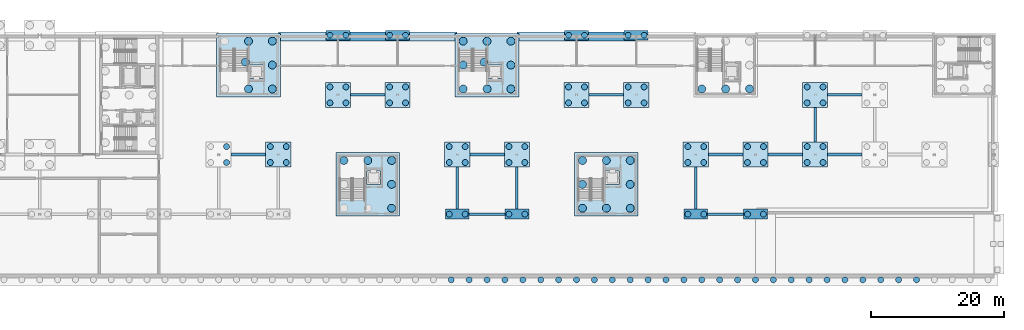
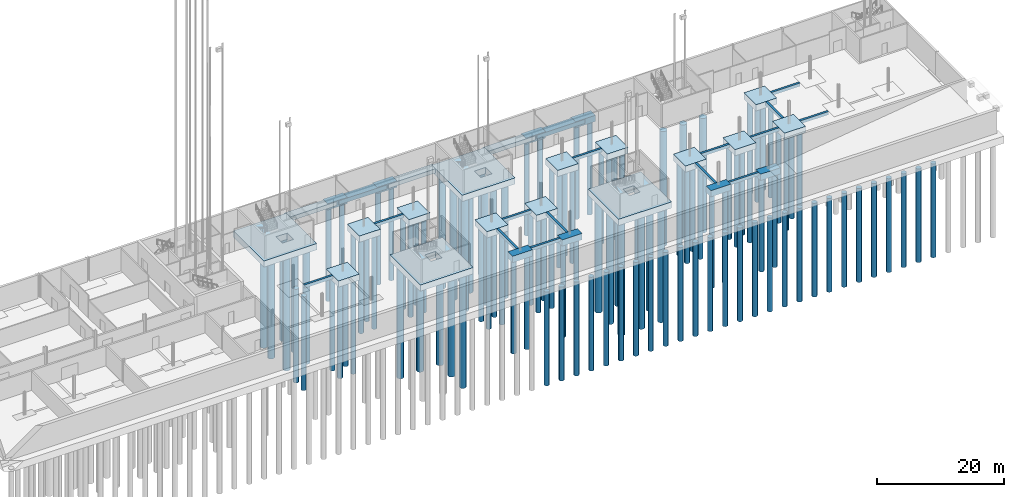
# One storey, part 2 of 41: 120 piles, 42 footings.
"""IFC4 building model written with IfcOpenShell, lengths in metres."""

from ifc_helpers import new_model, si_unit, direction, frame, origin, origin_2d, place, context, subcontext, project, spatial, polyline, rectangle, circle, outline, extrude, material, material_profile, profile_set, type_object, element, save


model = new_model("IFC4")

# Units and contexts
model_context = context("Model", 3, precision=1e-05, world=origin(), true_north=direction((0.0, 1.0)))
body_context = subcontext(model_context, "Body", "Model", "MODEL_VIEW")
ifc_project = project(units=[si_unit("LENGTHUNIT", "METRE"), si_unit("AREAUNIT", "SQUARE_METRE"), si_unit("VOLUMEUNIT", "CUBIC_METRE"), si_unit("PLANEANGLEUNIT", "RADIAN"), si_unit("MASSUNIT", "GRAM", prefix="KILO")], contexts=[model_context])

# Site, building, storey
site_placement = place(None, origin())
site = spatial("IfcSite", under=ifc_project, at=site_placement, CompositionType="ELEMENT")
building_placement = place(site_placement, origin())
building = spatial("IfcBuilding", under=site, at=building_placement, Name="Corbel Yard City Hall", CompositionType="ELEMENT")
storey_placement = place(building_placement, frame((0.0, 0.0, -4.5)))
storey = spatial("IfcBuildingStorey", under=building, at=storey_placement, Name="B1", CompositionType="ELEMENT", Elevation=-4.5)

# Piles
ifc_material = material(Name="Concrete N40 (40 MPa)", Category="concrete")
ifc_material_profile_1 = material_profile(ifc_material, circle(Radius=0.60009765625, at=origin_2d()), Name="D1200")
ifc_profile_set_1 = profile_set([ifc_material_profile_1], Name="Concrete N40 (40 MPa)")
pile_type_1 = type_object("IfcPileType", Name="Bored pile D1200", PredefinedType="BORED", material=ifc_profile_set_1)
for number, where, z_axis, x_axis, name in (
    (1, (67.5, 108.89990234375, -1.10009765625), (0.0, 0.0, -1.0), (1.0, 0.0, 0.0), "Bored pile D1200 under core raft PC13"),
    (2, (67.050048828125, 112.949951171875, -1.10009765625), (0.0, 0.0, -1.0), (1.0, 0.0, 0.0), "Bored pile D1200 under core raft PC13"),
    (3, (67.5, 116.10009765625, -1.10009765625), (0.0, 0.0, -1.0), (1.0, 0.0, 0.0), "Bored pile D1200 under core raft PC13"),
    (4, (71.10009765625, 108.89990234375, -1.10009765625), (0.0, 0.0, -1.0), (1.0, 0.0, 0.0), "Bored pile D1200 under core raft PC13"),
    (5, (71.10009765625, 112.5, -1.10009765625), (0.0, 0.0, -1.0), (1.0, 0.0, 0.0), "Bored pile D1200 under core raft PC13"),
    (6, (71.10009765625, 116.10009765625, -1.10009765625), (0.0, 0.0, -1.0), (1.0, 0.0, 0.0), "Bored pile D1200 under core raft PC13"),
    (7, (99.89990234375, 108.89990234375, -1.10009765625), (0.0, 0.0, -1.0), (1.0, 0.0, 0.0), "Bored pile D1200 under core raft PC13"),
    (8, (99.89990234375, 112.5, -1.10009765625), (0.0, 0.0, -1.0), (1.0, 0.0, 0.0), "Bored pile D1200 under core raft PC13"),
    (9, (99.89990234375, 116.10009765625, -1.10009765625), (0.0, 0.0, -1.0), (1.0, 0.0, 0.0), "Bored pile D1200 under core raft PC13"),
    (10, (103.5, 108.89990234375, -1.10009765625), (0.0, 0.0, -1.0), (1.0, 0.0, 0.0), "Bored pile D1200 under core raft PC13"),
    (11, (103.050048828125, 112.949951171875, -1.10009765625), (0.0, 0.0, -1.0), (1.0, 0.0, 0.0), "Bored pile D1200 under core raft PC13"),
    (12, (103.5, 116.10009765625, -1.10009765625), (0.0, 0.0, -1.0), (1.0, 0.0, 0.0), "Bored pile D1200 under core raft PC13"),
    (13, (107.10009765625, 108.89990234375, -1.10009765625), (0.0, 0.0, -1.0), (1.0, 0.0, 0.0), "Bored pile D1200 under core raft PC13"),
    (14, (107.10009765625, 112.5, -1.10009765625), (0.0, 0.0, -1.0), (1.0, 0.0, 0.0), "Bored pile D1200 under core raft PC13"),
    (15, (107.10009765625, 116.10009765625, -1.10009765625), (0.0, 0.0, -1.0), (1.0, 0.0, 0.0), "Bored pile D1200 under core raft PC13"),
    (16, (135.89990234375, 108.89990234375, -1.10009765625), (0.0, 0.0, -1.0), (1.0, 0.0, 0.0), "Bored pile D1200 under core raft PC13"),
    (17, (139.5, 108.89990234375, -1.10009765625), (0.0, 0.0, -1.0), (1.0, 0.0, 0.0), "Bored pile D1200 under core raft PC13"),
    (18, (143.10009765625, 108.89990234375, -1.10009765625), (0.0, 0.0, -1.0), (1.0, 0.0, 0.0), "Bored pile D1200 under core raft PC13"),
    (19, (81.89990234375, 98.10009765625, -1.10009765625), (0.0, 0.0, -1.0), (1.0, 0.0, 0.0), "Bored pile D1200 under core raft PC13"),
    (20, (85.5, 98.10009765625, -1.10009765625), (0.0, 0.0, -1.0), (1.0, 0.0, 0.0), "Bored pile D1200 under core raft PC13"),
    (21, (89.10009765625, 90.89990234375, -1.10009765625), (0.0, 0.0, -1.0), (1.0, 0.0, 0.0), "Bored pile D1200 under core raft PC13"),
    (22, (89.10009765625, 94.5, -1.10009765625), (0.0, 0.0, -1.0), (1.0, 0.0, 0.0), "Bored pile D1200 under core raft PC13"),
    (23, (89.10009765625, 98.10009765625, -1.10009765625), (0.0, 0.0, -1.0), (1.0, 0.0, 0.0), "Bored pile D1200 under core raft PC13"),
    (24, (117.89990234375, 90.89990234375, -1.10009765625), (0.0, 0.0, -1.0), (1.0, 0.0, 0.0), "Bored pile D1200 under core raft PC13"),
    (25, (117.89990234375, 94.5, -1.10009765625), (0.0, 0.0, -1.0), (1.0, 0.0, 0.0), "Bored pile D1200 under core raft PC13"),
    (26, (117.89990234375, 98.10009765625, -1.10009765625), (0.0, 0.0, -1.0), (1.0, 0.0, 0.0), "Bored pile D1200 under core raft PC13"),
    (27, (121.5, 90.89990234375, -1.10009765625), (0.0, 0.0, -1.0), (1.0, 0.0, 0.0), "Bored pile D1200 under core raft PC13"),
    (28, (121.5, 98.10009765625, -1.10009765625), (0.0, 0.0, -1.0), (1.0, 0.0, 0.0), "Bored pile D1200 under core raft PC13"),
    (29, (125.10009765625, 90.89990234375, -1.10009765625), (0.0, 0.0, -1.0), (1.0, 0.0, 0.0), "Bored pile D1200 under core raft PC13"),
    (30, (125.10009765625, 94.5, -1.10009765625), (0.0, 0.0, -1.0), (1.0, 0.0, 0.0), "Bored pile D1200 under core raft PC13"),
    (31, (125.10009765625, 98.10009765625, -1.10009765625), (0.0, 0.0, -1.0), (1.0, 0.0, 0.0), "Bored pile D1200 under core raft PC13"),
):
    element("IfcPile", number, at=place(storey_placement, frame(where, z_axis=z_axis, x_axis=x_axis)), inside=storey, type_object=pile_type_1, Name=name, PredefinedType="BORED", context=body_context, shape_type="SweptSolid", body=[
        extrude(circle(Radius=0.60009765625, at=origin_2d()), origin(), (0.0, 0.0, 1.0), 22.0),
    ])
ifc_material_profile_2 = material_profile(ifc_material, circle(Radius=0.449951171875, at=origin_2d()), Name="D900")
ifc_profile_set_2 = profile_set([ifc_material_profile_2], Name="Concrete N40 (40 MPa)")
pile_type_2 = type_object("IfcPileType", Name="Bored pile D900", PredefinedType="BORED", material=ifc_profile_set_2)
for number, where, z_axis, x_axis, name in (
    (32, (64.199951171875, 97.800048828125, -1.10009765625), (0.0, 0.0, -1.0), (1.0, 0.0, 0.0), "Bored pile D900 under cap PC9 L/8"),
    (33, (64.199951171875, 100.199951171875, -1.10009765625), (0.0, 0.0, -1.0), (1.0, 0.0, 0.0), "Bored pile D900 under cap PC9 L/8"),
    (34, (70.800048828125, 97.800048828125, -1.10009765625), (0.0, 0.0, -1.0), (1.0, 0.0, 0.0), "Bored pile D900 under cap PC9 L/9"),
    (35, (70.800048828125, 100.199951171875, -1.10009765625), (0.0, 0.0, -1.0), (1.0, 0.0, 0.0), "Bored pile D900 under cap PC9 L/9"),
    (36, (73.199951171875, 97.800048828125, -1.10009765625), (0.0, 0.0, -1.0), (1.0, 0.0, 0.0), "Bored pile D900 under cap PC9 L/9"),
    (37, (73.199951171875, 100.199951171875, -1.10009765625), (0.0, 0.0, -1.0), (1.0, 0.0, 0.0), "Bored pile D900 under cap PC9 L/9"),
    (38, (79.800048828125, 106.800048828125, -1.10009765625), (0.0, 0.0, -1.0), (1.0, 0.0, 0.0), "Bored pile D900 under cap PC9 M/10"),
    (39, (79.800048828125, 109.199951171875, -1.10009765625), (0.0, 0.0, -1.0), (1.0, 0.0, 0.0), "Bored pile D900 under cap PC9 M/10"),
    (40, (82.199951171875, 106.800048828125, -1.10009765625), (0.0, 0.0, -1.0), (1.0, 0.0, 0.0), "Bored pile D900 under cap PC9 M/10"),
    (41, (82.199951171875, 109.199951171875, -1.10009765625), (0.0, 0.0, -1.0), (1.0, 0.0, 0.0), "Bored pile D900 under cap PC9 M/10"),
    (42, (79.800048828125, 117.0, -1.10009765625), (0.0, 0.0, -1.0), (1.0, 0.0, 0.0), "Bored pile D900 under cap PC4 N/10"),
    (43, (82.199951171875, 117.0, -1.10009765625), (0.0, 0.0, -1.0), (1.0, 0.0, 0.0), "Bored pile D900 under cap PC4 N/10"),
    (44, (88.800048828125, 106.800048828125, -1.10009765625), (0.0, 0.0, -1.0), (1.0, 0.0, 0.0), "Bored pile D900 under cap PC9 M/11"),
    (45, (88.800048828125, 109.199951171875, -1.10009765625), (0.0, 0.0, -1.0), (1.0, 0.0, 0.0), "Bored pile D900 under cap PC9 M/11"),
    (46, (91.199951171875, 106.800048828125, -1.10009765625), (0.0, 0.0, -1.0), (1.0, 0.0, 0.0), "Bored pile D900 under cap PC9 M/11"),
    (47, (91.199951171875, 109.199951171875, -1.10009765625), (0.0, 0.0, -1.0), (1.0, 0.0, 0.0), "Bored pile D900 under cap PC9 M/11"),
    (48, (88.800048828125, 117.0, -1.10009765625), (0.0, 0.0, -1.0), (1.0, 0.0, 0.0), "Bored pile D900 under cap PC4 N/11"),
    (49, (91.199951171875, 117.0, -1.10009765625), (0.0, 0.0, -1.0), (1.0, 0.0, 0.0), "Bored pile D900 under cap PC4 N/11"),
    (50, (97.800048828125, 90.0, -1.10009765625), (0.0, 0.0, -1.0), (1.0, 0.0, 0.0), "Bored pile D900 under cap PC4 K/12"),
    (51, (100.199951171875, 90.0, -1.10009765625), (0.0, 0.0, -1.0), (1.0, 0.0, 0.0), "Bored pile D900 under cap PC4 K/12"),
    (52, (97.800048828125, 97.800048828125, -1.10009765625), (0.0, 0.0, -1.0), (1.0, 0.0, 0.0), "Bored pile D900 under cap PC9 L/12"),
    (53, (97.800048828125, 100.199951171875, -1.10009765625), (0.0, 0.0, -1.0), (1.0, 0.0, 0.0), "Bored pile D900 under cap PC9 L/12"),
    (54, (100.199951171875, 97.800048828125, -1.10009765625), (0.0, 0.0, -1.0), (1.0, 0.0, 0.0), "Bored pile D900 under cap PC9 L/12"),
    (55, (100.199951171875, 100.199951171875, -1.10009765625), (0.0, 0.0, -1.0), (1.0, 0.0, 0.0), "Bored pile D900 under cap PC9 L/12"),
    (56, (106.800048828125, 90.0, -1.10009765625), (0.0, 0.0, -1.0), (1.0, 0.0, 0.0), "Bored pile D900 under cap PC4 K/13"),
    (57, (109.199951171875, 90.0, -1.10009765625), (0.0, 0.0, -1.0), (1.0, 0.0, 0.0), "Bored pile D900 under cap PC4 K/13"),
    (58, (106.800048828125, 97.800048828125, -1.10009765625), (0.0, 0.0, -1.0), (1.0, 0.0, 0.0), "Bored pile D900 under cap PC9 L/13"),
    (59, (106.800048828125, 100.199951171875, -1.10009765625), (0.0, 0.0, -1.0), (1.0, 0.0, 0.0), "Bored pile D900 under cap PC9 L/13"),
    (60, (109.199951171875, 97.800048828125, -1.10009765625), (0.0, 0.0, -1.0), (1.0, 0.0, 0.0), "Bored pile D900 under cap PC9 L/13"),
    (61, (109.199951171875, 100.199951171875, -1.10009765625), (0.0, 0.0, -1.0), (1.0, 0.0, 0.0), "Bored pile D900 under cap PC9 L/13"),
    (62, (115.800048828125, 106.800048828125, -1.10009765625), (0.0, 0.0, -1.0), (1.0, 0.0, 0.0), "Bored pile D900 under cap PC9 M/14"),
    (63, (115.800048828125, 109.199951171875, -1.10009765625), (0.0, 0.0, -1.0), (1.0, 0.0, 0.0), "Bored pile D900 under cap PC9 M/14"),
    (64, (118.199951171875, 106.800048828125, -1.10009765625), (0.0, 0.0, -1.0), (1.0, 0.0, 0.0), "Bored pile D900 under cap PC9 M/14"),
    (65, (118.199951171875, 109.199951171875, -1.10009765625), (0.0, 0.0, -1.0), (1.0, 0.0, 0.0), "Bored pile D900 under cap PC9 M/14"),
    (66, (115.800048828125, 117.0, -1.10009765625), (0.0, 0.0, -1.0), (1.0, 0.0, 0.0), "Bored pile D900 under cap PC4 N/14"),
    (67, (118.199951171875, 117.0, -1.10009765625), (0.0, 0.0, -1.0), (1.0, 0.0, 0.0), "Bored pile D900 under cap PC4 N/14"),
    (68, (124.800048828125, 106.800048828125, -1.10009765625), (0.0, 0.0, -1.0), (1.0, 0.0, 0.0), "Bored pile D900 under cap PC9 M/15"),
    (69, (124.800048828125, 109.199951171875, -1.10009765625), (0.0, 0.0, -1.0), (1.0, 0.0, 0.0), "Bored pile D900 under cap PC9 M/15"),
    (70, (127.199951171875, 106.800048828125, -1.10009765625), (0.0, 0.0, -1.0), (1.0, 0.0, 0.0), "Bored pile D900 under cap PC9 M/15"),
    (71, (127.199951171875, 109.199951171875, -1.10009765625), (0.0, 0.0, -1.0), (1.0, 0.0, 0.0), "Bored pile D900 under cap PC9 M/15"),
    (72, (124.800048828125, 117.0, -1.10009765625), (0.0, 0.0, -1.0), (1.0, 0.0, 0.0), "Bored pile D900 under cap PC4 N/15"),
    (73, (127.199951171875, 117.0, -1.10009765625), (0.0, 0.0, -1.0), (1.0, 0.0, 0.0), "Bored pile D900 under cap PC4 N/15"),
    (74, (133.800048828125, 90.0, -1.10009765625), (0.0, 0.0, -1.0), (1.0, 0.0, 0.0), "Bored pile D900 under cap PC4 K/16"),
    (75, (136.199951171875, 90.0, -1.10009765625), (0.0, 0.0, -1.0), (1.0, 0.0, 0.0), "Bored pile D900 under cap PC4 K/16"),
    (76, (133.800048828125, 97.800048828125, -1.10009765625), (0.0, 0.0, -1.0), (1.0, 0.0, 0.0), "Bored pile D900 under cap PC9 L/16"),
    (77, (133.800048828125, 100.199951171875, -1.10009765625), (0.0, 0.0, -1.0), (1.0, 0.0, 0.0), "Bored pile D900 under cap PC9 L/16"),
    (78, (136.199951171875, 97.800048828125, -1.10009765625), (0.0, 0.0, -1.0), (1.0, 0.0, 0.0), "Bored pile D900 under cap PC9 L/16"),
    (79, (136.199951171875, 100.199951171875, -1.10009765625), (0.0, 0.0, -1.0), (1.0, 0.0, 0.0), "Bored pile D900 under cap PC9 L/16"),
    (80, (142.800048828125, 90.0, -1.10009765625), (0.0, 0.0, -1.0), (1.0, 0.0, 0.0), "Bored pile D900 under cap PC4 K/17"),
    (81, (145.199951171875, 90.0, -1.10009765625), (0.0, 0.0, -1.0), (1.0, 0.0, 0.0), "Bored pile D900 under cap PC4 K/17"),
    (82, (142.800048828125, 97.800048828125, -1.10009765625), (0.0, 0.0, -1.0), (1.0, 0.0, 0.0), "Bored pile D900 under cap PC9 L/17"),
    (83, (142.800048828125, 100.199951171875, -1.10009765625), (0.0, 0.0, -1.0), (1.0, 0.0, 0.0), "Bored pile D900 under cap PC9 L/17"),
    (84, (145.199951171875, 97.800048828125, -1.10009765625), (0.0, 0.0, -1.0), (1.0, 0.0, 0.0), "Bored pile D900 under cap PC9 L/17"),
    (85, (145.199951171875, 100.199951171875, -1.10009765625), (0.0, 0.0, -1.0), (1.0, 0.0, 0.0), "Bored pile D900 under cap PC9 L/17"),
    (86, (151.800048828125, 97.800048828125, -1.10009765625), (0.0, 0.0, -1.0), (1.0, 0.0, 0.0), "Bored pile D900 under cap PC9 L/18"),
    (87, (151.800048828125, 100.199951171875, -1.10009765625), (0.0, 0.0, -1.0), (1.0, 0.0, 0.0), "Bored pile D900 under cap PC9 L/18"),
    (88, (154.199951171875, 97.800048828125, -1.10009765625), (0.0, 0.0, -1.0), (1.0, 0.0, 0.0), "Bored pile D900 under cap PC9 L/18"),
    (89, (154.199951171875, 100.199951171875, -1.10009765625), (0.0, 0.0, -1.0), (1.0, 0.0, 0.0), "Bored pile D900 under cap PC9 L/18"),
    (90, (151.800048828125, 106.800048828125, -1.10009765625), (0.0, 0.0, -1.0), (1.0, 0.0, 0.0), "Bored pile D900 under cap PC9 M/18"),
    (91, (151.800048828125, 109.199951171875, -1.10009765625), (0.0, 0.0, -1.0), (1.0, 0.0, 0.0), "Bored pile D900 under cap PC9 M/18"),
    (92, (154.199951171875, 106.800048828125, -1.10009765625), (0.0, 0.0, -1.0), (1.0, 0.0, 0.0), "Bored pile D900 under cap PC9 M/18"),
    (93, (154.199951171875, 109.199951171875, -1.10009765625), (0.0, 0.0, -1.0), (1.0, 0.0, 0.0), "Bored pile D900 under cap PC9 M/18"),
    (94, (98.10009765625, 80.10009765625, -1.300048828125), (0.0, 0.0, -1.0), (1.0, 0.0, 0.0), "Bored pile D900 under pile-cap strip PC14"),
    (95, (100.800048828125, 80.10009765625, -1.300048828125), (0.0, 0.0, -1.0), (1.0, 0.0, 0.0), "Bored pile D900 under pile-cap strip PC14"),
    (96, (103.5, 80.10009765625, -1.300048828125), (0.0, 0.0, -1.0), (1.0, 0.0, 0.0), "Bored pile D900 under pile-cap strip PC14"),
    (97, (106.199951171875, 80.10009765625, -1.300048828125), (0.0, 0.0, -1.0), (1.0, 0.0, 0.0), "Bored pile D900 under pile-cap strip PC14"),
    (98, (108.89990234375, 80.10009765625, -1.300048828125), (0.0, 0.0, -1.0), (1.0, 0.0, 0.0), "Bored pile D900 under pile-cap strip PC14"),
    (99, (111.60009765625, 80.10009765625, -1.300048828125), (0.0, 0.0, -1.0), (1.0, 0.0, 0.0), "Bored pile D900 under pile-cap strip PC14"),
    (100, (114.300048828125, 80.10009765625, -1.300048828125), (0.0, 0.0, -1.0), (1.0, 0.0, 0.0), "Bored pile D900 under pile-cap strip PC14"),
    (101, (117.0, 80.10009765625, -1.300048828125), (0.0, 0.0, -1.0), (1.0, 0.0, 0.0), "Bored pile D900 under pile-cap strip PC14"),
    (102, (119.699951171875, 80.10009765625, -1.300048828125), (0.0, 0.0, -1.0), (1.0, 0.0, 0.0), "Bored pile D900 under pile-cap strip PC14"),
    (103, (122.39990234375, 80.10009765625, -1.300048828125), (0.0, 0.0, -1.0), (1.0, 0.0, 0.0), "Bored pile D900 under pile-cap strip PC14"),
    (104, (125.10009765625, 80.10009765625, -1.300048828125), (0.0, 0.0, -1.0), (1.0, 0.0, 0.0), "Bored pile D900 under pile-cap strip PC14"),
    (105, (127.800048828125, 80.10009765625, -1.300048828125), (0.0, 0.0, -1.0), (1.0, 0.0, 0.0), "Bored pile D900 under pile-cap strip PC14"),
    (106, (130.5, 80.10009765625, -1.300048828125), (0.0, 0.0, -1.0), (1.0, 0.0, 0.0), "Bored pile D900 under pile-cap strip PC14"),
    (107, (133.199951171875, 80.10009765625, -1.300048828125), (0.0, 0.0, -1.0), (1.0, 0.0, 0.0), "Bored pile D900 under pile-cap strip PC14"),
    (108, (135.89990234375, 80.10009765625, -1.300048828125), (0.0, 0.0, -1.0), (1.0, 0.0, 0.0), "Bored pile D900 under pile-cap strip PC14"),
    (109, (138.60009765625, 80.10009765625, -1.300048828125), (0.0, 0.0, -1.0), (1.0, 0.0, 0.0), "Bored pile D900 under pile-cap strip PC14"),
    (110, (141.300048828125, 80.10009765625, -1.300048828125), (0.0, 0.0, -1.0), (1.0, 0.0, 0.0), "Bored pile D900 under pile-cap strip PC14"),
    (111, (144.0, 80.10009765625, -1.300048828125), (0.0, 0.0, -1.0), (1.0, 0.0, 0.0), "Bored pile D900 under pile-cap strip PC14"),
    (112, (146.699951171875, 80.10009765625, -1.300048828125), (0.0, 0.0, -1.0), (1.0, 0.0, 0.0), "Bored pile D900 under pile-cap strip PC14"),
    (113, (149.39990234375, 80.10009765625, -1.300048828125), (0.0, 0.0, -1.0), (1.0, 0.0, 0.0), "Bored pile D900 under pile-cap strip PC14"),
    (114, (152.10009765625, 80.10009765625, -1.300048828125), (0.0, 0.0, -1.0), (1.0, 0.0, 0.0), "Bored pile D900 under pile-cap strip PC14"),
    (115, (154.800048828125, 80.10009765625, -1.300048828125), (0.0, 0.0, -1.0), (1.0, 0.0, 0.0), "Bored pile D900 under pile-cap strip PC14"),
    (116, (157.5, 80.10009765625, -1.300048828125), (0.0, 0.0, -1.0), (1.0, 0.0, 0.0), "Bored pile D900 under pile-cap strip PC14"),
    (117, (160.199951171875, 80.10009765625, -1.300048828125), (0.0, 0.0, -1.0), (1.0, 0.0, 0.0), "Bored pile D900 under pile-cap strip PC14"),
    (118, (162.89990234375, 80.10009765625, -1.300048828125), (0.0, 0.0, -1.0), (1.0, 0.0, 0.0), "Bored pile D900 under pile-cap strip PC14"),
    (119, (165.60009765625, 80.10009765625, -1.300048828125), (0.0, 0.0, -1.0), (1.0, 0.0, 0.0), "Bored pile D900 under pile-cap strip PC14"),
    (120, (168.300048828125, 80.10009765625, -1.300048828125), (0.0, 0.0, -1.0), (1.0, 0.0, 0.0), "Bored pile D900 under pile-cap strip PC14"),
):
    element("IfcPile", number, at=place(storey_placement, frame(where, z_axis=z_axis, x_axis=x_axis)), inside=storey, type_object=pile_type_2, Name=name, PredefinedType="BORED", context=body_context, shape_type="SweptSolid", body=[
        extrude(circle(Radius=0.449951171875, at=origin_2d()), origin(), (0.0, 0.0, 1.0), 18.0),
    ])

# Footings
footing_type_1 = type_object("IfcFootingType", Name="Core cell raft 9.6 x 9.6 x 1.2", PredefinedType="PILE_CAP", material=ifc_material)
footing_1_placement = place(storey_placement, frame((0.0, 0.0, -1.199951171875)))
element("IfcFooting", 121, at=footing_1_placement, inside=storey, type_object=footing_type_1, Name="Core cell raft PC13 PC-N1", PredefinedType="PILE_CAP", context=body_context, shape_type="SweptSolid", body=[
    extrude(outline(polyline([(62.699951171875, 107.699951171875), (72.300048828125, 107.699951171875), (72.300048828125, 117.300048828125), (62.699951171875, 117.300048828125), (62.699951171875, 107.699951171875)]), holes=[polyline([(67.699951171875, 110.5), (67.699951171875, 112.5), (69.699951171875, 112.5), (69.699951171875, 110.5), (67.699951171875, 110.5)])]), origin(), (0.0, 0.0, 1.0), 1.199951171875),
])
footing_2_placement = place(storey_placement, frame((0.0, 0.0, -1.199951171875)))
element("IfcFooting", 122, at=footing_2_placement, inside=storey, type_object=footing_type_1, Name="Core cell raft PC13 PC-N2", PredefinedType="PILE_CAP", context=body_context, shape_type="SweptSolid", body=[
    extrude(outline(polyline([(98.699951171875, 107.699951171875), (108.300048828125, 107.699951171875), (108.300048828125, 117.300048828125), (98.699951171875, 117.300048828125), (98.699951171875, 107.699951171875)]), holes=[polyline([(103.699951171875, 110.5), (103.699951171875, 112.5), (105.699951171875, 112.5), (105.699951171875, 110.5), (103.699951171875, 110.5)])]), origin(), (0.0, 0.0, 1.0), 1.199951171875),
])
footing_3_placement = place(storey_placement, frame((0.0, 0.0, -1.199951171875)))
element("IfcFooting", 123, at=footing_3_placement, inside=storey, type_object=footing_type_1, Name="Core cell raft PC13 PC-N5", PredefinedType="PILE_CAP", context=body_context, shape_type="SweptSolid", body=[
    extrude(outline(polyline([(80.699951171875, 89.699951171875), (90.300048828125, 89.699951171875), (90.300048828125, 99.300048828125), (80.699951171875, 99.300048828125), (80.699951171875, 89.699951171875)]), holes=[polyline([(85.39990234375, 94.5), (85.39990234375, 96.5), (87.39990234375, 96.5), (87.39990234375, 94.5), (85.39990234375, 94.5)])]), origin(), (0.0, 0.0, 1.0), 1.199951171875),
])
footing_4_placement = place(storey_placement, frame((0.0, 0.0, -1.199951171875)))
element("IfcFooting", 124, at=footing_4_placement, inside=storey, type_object=footing_type_1, Name="Core cell raft PC13 PC-N6", PredefinedType="PILE_CAP", context=body_context, shape_type="SweptSolid", body=[
    extrude(outline(polyline([(116.699951171875, 89.699951171875), (126.300048828125, 89.699951171875), (126.300048828125, 99.300048828125), (116.699951171875, 99.300048828125), (116.699951171875, 89.699951171875)]), holes=[polyline([(121.39990234375, 94.5), (121.39990234375, 96.5), (123.39990234375, 96.5), (123.39990234375, 94.5), (121.39990234375, 94.5)])]), origin(), (0.0, 0.0, 1.0), 1.199951171875),
])
footing_type_2 = type_object("IfcFootingType", Name="Ground beam 400 x 600", PredefinedType="FOOTING_BEAM", material=ifc_material)
for number, where, z_axis, x_axis, name in (
    (125, (67.5, 99.0, -0.60009765625), (0.0, 0.0, 1.0), (1.0, 0.0, 0.0), "Ground beam 400 x 600 L/8-L/9"),
    (126, (85.5, 108.0, -0.60009765625), (0.0, 0.0, 1.0), (1.0, 0.0, 0.0), "Ground beam 400 x 600 M/10-M/11"),
):
    element("IfcFooting", number, at=place(storey_placement, frame(where, z_axis=z_axis, x_axis=x_axis)), inside=storey, type_object=footing_type_2, Name=name, PredefinedType="FOOTING_BEAM", context=body_context, shape_type="SweptSolid", body=[
        extrude(rectangle(XDim=5.199951171875, YDim=0.39990234375, at=origin_2d()), origin(), (0.0, 0.0, 1.0), 0.60009765625),
    ])
footing_5_placement = place(storey_placement, frame((103.5, 90.0, -0.60009765625), z_axis=(0.0, 0.0, 1.0), x_axis=(1.0, 0.0, 0.0)))
element("IfcFooting", 127, at=footing_5_placement, inside=storey, type_object=footing_type_2, Name="Ground beam 400 x 600 K/12-K/13", PredefinedType="FOOTING_BEAM", context=body_context, shape_type="SweptSolid", body=[
    extrude(rectangle(XDim=5.39990234375, YDim=0.39990234375, at=origin_2d()), origin(), (0.0, 0.0, 1.0), 0.60009765625),
])
footing_6_placement = place(storey_placement, frame((99.0, 93.925048828125, -0.60009765625), z_axis=(0.0, 0.0, 1.0), x_axis=(1.0, 0.0, 0.0)))
element("IfcFooting", 128, at=footing_6_placement, inside=storey, type_object=footing_type_2, Name="Ground beam 400 x 600 K/12-L/12", PredefinedType="FOOTING_BEAM", context=body_context, shape_type="SweptSolid", body=[
    extrude(rectangle(XDim=0.39990234375, YDim=6.35009765625, at=origin_2d()), origin(), (0.0, 0.0, 1.0), 0.60009765625),
])
footing_7_placement = place(storey_placement, frame((103.5, 99.0, -0.60009765625), z_axis=(0.0, 0.0, 1.0), x_axis=(1.0, 0.0, 0.0)))
element("IfcFooting", 129, at=footing_7_placement, inside=storey, type_object=footing_type_2, Name="Ground beam 400 x 600 L/12-L/13", PredefinedType="FOOTING_BEAM", context=body_context, shape_type="SweptSolid", body=[
    extrude(rectangle(XDim=5.199951171875, YDim=0.39990234375, at=origin_2d()), origin(), (0.0, 0.0, 1.0), 0.60009765625),
])
footing_8_placement = place(storey_placement, frame((108.0, 93.925048828125, -0.60009765625), z_axis=(0.0, 0.0, 1.0), x_axis=(1.0, 0.0, 0.0)))
element("IfcFooting", 130, at=footing_8_placement, inside=storey, type_object=footing_type_2, Name="Ground beam 400 x 600 K/13-L/13", PredefinedType="FOOTING_BEAM", context=body_context, shape_type="SweptSolid", body=[
    extrude(rectangle(XDim=0.39990234375, YDim=6.35009765625, at=origin_2d()), origin(), (0.0, 0.0, 1.0), 0.60009765625),
])
footing_9_placement = place(storey_placement, frame((121.5, 108.0, -0.60009765625), z_axis=(0.0, 0.0, 1.0), x_axis=(1.0, 0.0, 0.0)))
element("IfcFooting", 131, at=footing_9_placement, inside=storey, type_object=footing_type_2, Name="Ground beam 400 x 600 M/14-M/15", PredefinedType="FOOTING_BEAM", context=body_context, shape_type="SweptSolid", body=[
    extrude(rectangle(XDim=5.199951171875, YDim=0.39990234375, at=origin_2d()), origin(), (0.0, 0.0, 1.0), 0.60009765625),
])
footing_10_placement = place(storey_placement, frame((139.5, 90.0, -0.60009765625), z_axis=(0.0, 0.0, 1.0), x_axis=(1.0, 0.0, 0.0)))
element("IfcFooting", 132, at=footing_10_placement, inside=storey, type_object=footing_type_2, Name="Ground beam 400 x 600 K/16-K/17", PredefinedType="FOOTING_BEAM", context=body_context, shape_type="SweptSolid", body=[
    extrude(rectangle(XDim=5.39990234375, YDim=0.39990234375, at=origin_2d()), origin(), (0.0, 0.0, 1.0), 0.60009765625),
])
footing_11_placement = place(storey_placement, frame((135.0, 93.925048828125, -0.60009765625), z_axis=(0.0, 0.0, 1.0), x_axis=(1.0, 0.0, 0.0)))
element("IfcFooting", 133, at=footing_11_placement, inside=storey, type_object=footing_type_2, Name="Ground beam 400 x 600 K/16-L/16", PredefinedType="FOOTING_BEAM", context=body_context, shape_type="SweptSolid", body=[
    extrude(rectangle(XDim=0.39990234375, YDim=6.35009765625, at=origin_2d()), origin(), (0.0, 0.0, 1.0), 0.60009765625),
])
for number, where, z_axis, x_axis, name in (
    (134, (139.5, 99.0, -0.60009765625), (0.0, 0.0, 1.0), (1.0, 0.0, 0.0), "Ground beam 400 x 600 L/16-L/17"),
    (135, (148.5, 99.0, -0.60009765625), (0.0, 0.0, 1.0), (1.0, 0.0, 0.0), "Ground beam 400 x 600 L/17-L/18"),
    (136, (157.5, 99.0, -0.60009765625), (0.0, 0.0, 1.0), (1.0, 0.0, 0.0), "Ground beam 400 x 600 L/18-L/19"),
):
    element("IfcFooting", number, at=place(storey_placement, frame(where, z_axis=z_axis, x_axis=x_axis)), inside=storey, type_object=footing_type_2, Name=name, PredefinedType="FOOTING_BEAM", context=body_context, shape_type="SweptSolid", body=[
        extrude(rectangle(XDim=5.199951171875, YDim=0.39990234375, at=origin_2d()), origin(), (0.0, 0.0, 1.0), 0.60009765625),
    ])
footing_12_placement = place(storey_placement, frame((153.0, 103.5, -0.60009765625), z_axis=(0.0, 0.0, 1.0), x_axis=(1.0, 0.0, 0.0)))
element("IfcFooting", 137, at=footing_12_placement, inside=storey, type_object=footing_type_2, Name="Ground beam 400 x 600 L/18-M/18", PredefinedType="FOOTING_BEAM", context=body_context, shape_type="SweptSolid", body=[
    extrude(rectangle(XDim=0.39990234375, YDim=5.199951171875, at=origin_2d()), origin(), (0.0, 0.0, 1.0), 0.60009765625),
])
footing_13_placement = place(storey_placement, frame((157.5, 108.0, -0.60009765625), z_axis=(0.0, 0.0, 1.0), x_axis=(1.0, 0.0, 0.0)))
element("IfcFooting", 138, at=footing_13_placement, inside=storey, type_object=footing_type_2, Name="Ground beam 400 x 600 M/18-M/19", PredefinedType="FOOTING_BEAM", context=body_context, shape_type="SweptSolid", body=[
    extrude(rectangle(XDim=5.199951171875, YDim=0.39990234375, at=origin_2d()), origin(), (0.0, 0.0, 1.0), 0.60009765625),
])
footing_type_3 = type_object("IfcFootingType", Name="Pile cap (basement column) 3.8 x 3.8 x 1.2", PredefinedType="PILE_CAP", material=ifc_material)
for number, where, z_axis, x_axis, name in (
    (139, (72.0, 99.0, -1.2001953125), (0.0, 0.0, 1.0), (1.0, 0.0, 0.0), "Pile cap PC9 L/9"),
    (140, (81.0, 108.0, -1.2001953125), (0.0, 0.0, 1.0), (1.0, 0.0, 0.0), "Pile cap PC9 M/10"),
    (141, (90.0, 108.0, -1.2001953125), (0.0, 0.0, 1.0), (1.0, 0.0, 0.0), "Pile cap PC9 M/11"),
    (142, (99.0, 99.0, -1.2001953125), (0.0, 0.0, 1.0), (1.0, 0.0, 0.0), "Pile cap PC9 L/12"),
    (143, (108.0, 99.0, -1.2001953125), (0.0, 0.0, 1.0), (1.0, 0.0, 0.0), "Pile cap PC9 L/13"),
    (144, (117.0, 108.0, -1.2001953125), (0.0, 0.0, 1.0), (1.0, 0.0, 0.0), "Pile cap PC9 M/14"),
    (145, (126.0, 108.0, -1.2001953125), (0.0, 0.0, 1.0), (1.0, 0.0, 0.0), "Pile cap PC9 M/15"),
    (146, (135.0, 99.0, -1.2001953125), (0.0, 0.0, 1.0), (1.0, 0.0, 0.0), "Pile cap PC9 L/16"),
    (147, (144.0, 99.0, -1.2001953125), (0.0, 0.0, 1.0), (1.0, 0.0, 0.0), "Pile cap PC9 L/17"),
    (148, (153.0, 99.0, -1.2001953125), (0.0, 0.0, 1.0), (1.0, 0.0, 0.0), "Pile cap PC9 L/18"),
    (149, (153.0, 108.0, -1.2001953125), (0.0, 0.0, 1.0), (1.0, 0.0, 0.0), "Pile cap PC9 M/18"),
):
    element("IfcFooting", number, at=place(storey_placement, frame(where, z_axis=z_axis, x_axis=x_axis)), inside=storey, type_object=footing_type_3, Name=name, PredefinedType="PILE_CAP", context=body_context, shape_type="SweptSolid", body=[
        extrude(rectangle(XDim=3.800048828125, YDim=3.800048828125, at=origin_2d()), origin(), (0.0, 0.0, 1.0), 1.199951171875),
    ])
footing_type_4 = type_object("IfcFootingType", Name="Pile cap (edge column, two piles) 3.6 x 1.5 x 1.2", PredefinedType="PILE_CAP", material=ifc_material)
for number, where, z_axis, x_axis, name in (
    (150, (81.0, 117.0, -1.2001953125), (0.0, 0.0, 1.0), (1.0, 0.0, 0.0), "Pile cap PC4 N/10"),
    (151, (90.0, 117.0, -1.2001953125), (0.0, 0.0, 1.0), (1.0, 0.0, 0.0), "Pile cap PC4 N/11"),
    (152, (99.0, 90.0, -1.2001953125), (0.0, 0.0, 1.0), (1.0, 0.0, 0.0), "Pile cap PC4 K/12"),
    (153, (108.0, 90.0, -1.2001953125), (0.0, 0.0, 1.0), (1.0, 0.0, 0.0), "Pile cap PC4 K/13"),
    (154, (117.0, 117.0, -1.2001953125), (0.0, 0.0, 1.0), (1.0, 0.0, 0.0), "Pile cap PC4 N/14"),
    (155, (126.0, 117.0, -1.2001953125), (0.0, 0.0, 1.0), (1.0, 0.0, 0.0), "Pile cap PC4 N/15"),
    (156, (135.0, 90.0, -1.2001953125), (0.0, 0.0, 1.0), (1.0, 0.0, 0.0), "Pile cap PC4 K/16"),
    (157, (144.0, 90.0, -1.2001953125), (0.0, 0.0, 1.0), (1.0, 0.0, 0.0), "Pile cap PC4 K/17"),
):
    element("IfcFooting", number, at=place(storey_placement, frame(where, z_axis=z_axis, x_axis=x_axis)), inside=storey, type_object=footing_type_4, Name=name, PredefinedType="PILE_CAP", context=body_context, shape_type="SweptSolid", body=[
        extrude(rectangle(XDim=3.60009765625, YDim=1.5, at=origin_2d()), origin(), (0.0, 0.0, 1.0), 1.199951171875),
    ])
footing_type_5 = type_object("IfcFootingType", Name="Strip footing", PredefinedType="PILE_CAP", material=ifc_material)
footing_14_placement = place(storey_placement, frame((0.0, 0.0, -0.800048828125)))
element("IfcFooting", 158, at=footing_14_placement, inside=storey, type_object=footing_type_5, Name="Strip footing PC15 10", PredefinedType="PILE_CAP", context=body_context, shape_type="SweptSolid", body=[
    extrude(outline(polyline([(80.861572265625, 116.25), (79.199951171875, 116.25), (79.199951171875, 117.5), (72.0, 117.5), (72.0, 117.300048828125), (72.300048828125, 117.300048828125), (72.300048828125, 116.10009765625), (80.861572265625, 116.10009765625), (80.861572265625, 116.25)])), origin(), (0.0, 0.0, 1.0), 0.800048828125),
])
footing_15_placement = place(storey_placement, frame((0.0, 0.0, -0.800048828125)))
element("IfcFooting", 159, at=footing_15_placement, inside=storey, type_object=footing_type_5, Name="Strip footing PC15 11", PredefinedType="PILE_CAP", context=body_context, shape_type="SweptSolid", body=[
    extrude(outline(polyline([(89.861572265625, 116.25), (88.199951171875, 116.25), (88.199951171875, 117.5), (82.800048828125, 117.5), (82.800048828125, 116.25), (81.138427734375, 116.25), (81.138427734375, 116.10009765625), (89.861572265625, 116.10009765625), (89.861572265625, 116.25)])), origin(), (0.0, 0.0, 1.0), 0.800048828125),
])
footing_16_placement = place(storey_placement, frame((0.0, 0.0, -0.800048828125)))
element("IfcFooting", 160, at=footing_16_placement, inside=storey, type_object=footing_type_5, Name="Strip footing PC15 12", PredefinedType="PILE_CAP", context=body_context, shape_type="SweptSolid", body=[
    extrude(outline(polyline([(99.0, 117.300048828125), (99.0, 117.5), (91.800048828125, 117.5), (91.800048828125, 116.25), (90.138427734375, 116.25), (90.138427734375, 116.10009765625), (98.699951171875, 116.10009765625), (98.699951171875, 117.300048828125), (99.0, 117.300048828125)])), origin(), (0.0, 0.0, 1.0), 0.800048828125),
])
footing_17_placement = place(storey_placement, frame((0.0, 0.0, -0.800048828125)))
element("IfcFooting", 161, at=footing_17_placement, inside=storey, type_object=footing_type_5, Name="Strip footing PC15 13", PredefinedType="PILE_CAP", context=body_context, shape_type="SweptSolid", body=[
    extrude(outline(polyline([(115.199951171875, 117.5), (108.0, 117.5), (108.0, 117.300048828125), (108.300048828125, 117.300048828125), (108.300048828125, 116.10009765625), (116.861572265625, 116.10009765625), (116.861572265625, 116.25), (115.199951171875, 116.25), (115.199951171875, 117.5)])), origin(), (0.0, 0.0, 1.0), 0.800048828125),
])
footing_18_placement = place(storey_placement, frame((0.0, 0.0, -0.800048828125)))
element("IfcFooting", 162, at=footing_18_placement, inside=storey, type_object=footing_type_5, Name="Strip footing PC15 14", PredefinedType="PILE_CAP", context=body_context, shape_type="SweptSolid", body=[
    extrude(outline(polyline([(124.199951171875, 116.25), (124.199951171875, 117.5), (118.800048828125, 117.5), (118.800048828125, 116.25), (117.138427734375, 116.25), (117.138427734375, 116.10009765625), (125.861572265625, 116.10009765625), (125.861572265625, 116.25), (124.199951171875, 116.25)])), origin(), (0.0, 0.0, 1.0), 0.800048828125),
])

save(model, "model.ifc")
